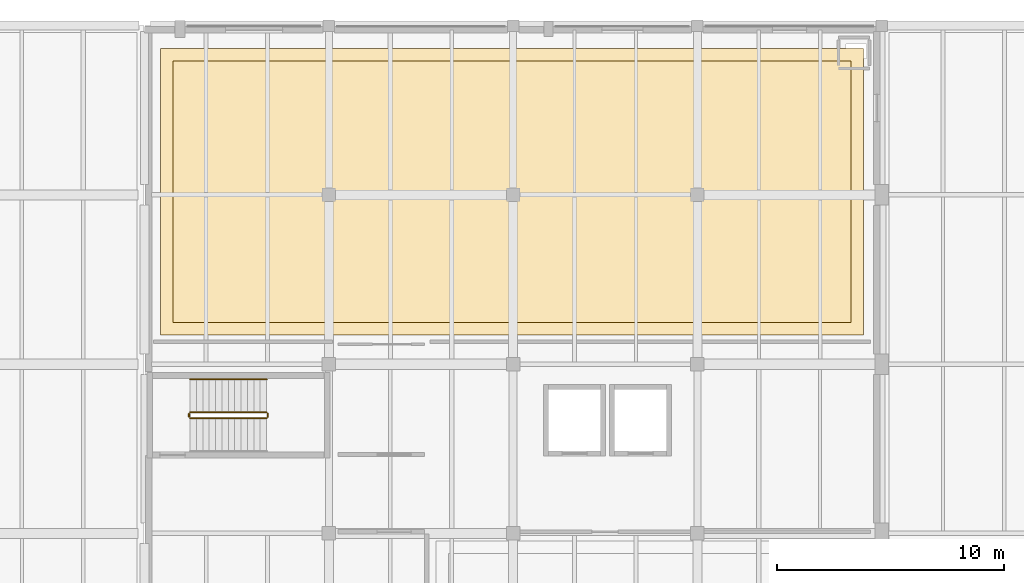
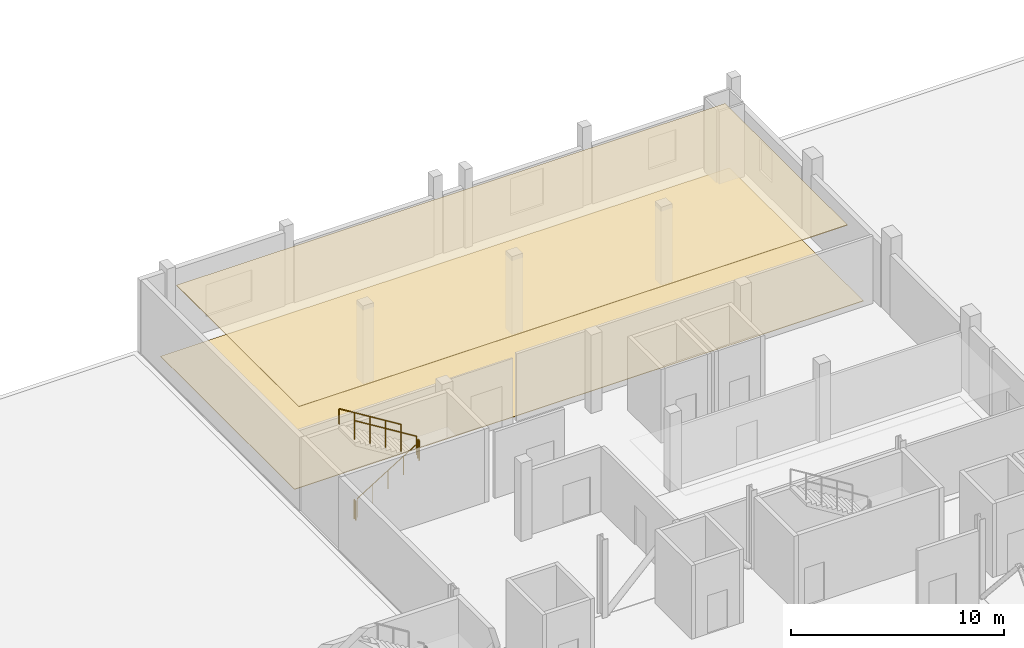
# One storey, part 70 of 73: 5 railings, 2 coverings.
"""IFC4 building model written with IfcOpenShell, lengths in metres."""

from ifc_helpers import new_model, si_unit, direction, frame, origin, origin_2d, place, context, subcontext, project, spatial, polyline, circle, outline, extrude, material, layer, layer_set, type_object, element, save


model = new_model("IFC4")

# Units and contexts
model_context = context("Model", 3, precision=1e-05, world=origin(), true_north=direction((0.0, 1.0)))
body_context = subcontext(model_context, "Body", "Model", "MODEL_VIEW")
ifc_project = project(units=[si_unit("LENGTHUNIT", "METRE"), si_unit("AREAUNIT", "SQUARE_METRE"), si_unit("VOLUMEUNIT", "CUBIC_METRE"), si_unit("PLANEANGLEUNIT", "RADIAN"), si_unit("MASSUNIT", "GRAM", prefix="KILO")], contexts=[model_context])

# Site, building, storey
site_placement = place(None, origin())
site = spatial("IfcSite", under=ifc_project, at=site_placement, CompositionType="ELEMENT")
building_placement = place(site_placement, origin())
building = spatial("IfcBuilding", under=site, at=building_placement, Name="Kaelora Sail Theatre", CompositionType="ELEMENT")
storey_placement = place(building_placement, frame((0.0, 0.0, 10.199951171875)))
storey = spatial("IfcBuildingStorey", under=building, at=storey_placement, Name="L02", CompositionType="ELEMENT", Elevation=10.199951171875)

# Coverings
ifc_material_1 = material(Name="Suspended acoustic mineral-fibre ceiling", Category="gypsum")
ifc_layer_1 = layer(ifc_material_1, 0.034912109375)
ifc_layer_set_1 = layer_set([ifc_layer_1], Name="Suspended acoustic mineral-fibre ceiling")
covering_type_1 = type_object("IfcCoveringType", Name="ARC-COV-CLG-GYP-35", PredefinedType="CEILING", material=ifc_layer_set_1)
covering_1_placement = place(storey_placement, frame((0.0, 0.0, 4.215087890625)))
element("IfcCovering", 1, at=covering_1_placement, inside=storey, type_object=covering_type_1, Name="Acoustic ceiling L02-REH-MAIN", PredefinedType="CEILING", context=body_context, shape_type="SweptSolid", body=[
    extrude(outline(polyline([(35.14990234375, 100.050048828125), (64.949951171875, 100.050048828125), (64.949951171875, 111.550048828125), (35.14990234375, 111.550048828125), (35.14990234375, 100.050048828125)])), origin(), (0.0, 0.0, 1.0), 0.034912109375),
])
ifc_material_2 = material(Name="Sprung West African iroko stage and dance floor", Category="timber")
ifc_layer_2 = layer(ifc_material_2, 0.028076171875)
ifc_layer_set_2 = layer_set([ifc_layer_2], Name="Sprung West African iroko stage and dance floor")
covering_type_2 = type_object("IfcCoveringType", Name="ARC-COV-FLR-OAK-28", PredefinedType="FLOORING", material=ifc_layer_set_2)
covering_2_placement = place(storey_placement, origin())
element("IfcCovering", 2, at=covering_2_placement, inside=storey, type_object=covering_type_2, Name="Architectural flooring L02-REH-MAIN", PredefinedType="FLOORING", context=body_context, shape_type="SweptSolid", body=[
    extrude(outline(polyline([(34.60009765625, 99.5), (65.5, 99.5), (65.5, 112.10009765625), (34.60009765625, 112.10009765625), (34.60009765625, 99.5)])), origin(), (0.0, 0.0, 1.0), 0.028076171875),
])

# Railings
ifc_material_3 = material(Name="Painted steel and laminated safety glass guard", Category="steel")
railing_type_1 = type_object("IfcRailingType", Name="ARC-RL-GRD", PredefinedType="GUARDRAIL", material=ifc_material_3)
railing_1_placement = place(storey_placement, frame((35.89990234375, 95.85009765625, 0.173095703125)))
element("IfcRailing", 3, at=railing_1_placement, inside=storey, type_object=railing_type_1, Name="L02 ST-K2 stair guard 1", PredefinedType="GUARDRAIL", context=body_context, shape_type="SweptSolid", body=[
    extrude(circle(Radius=0.02392578125, at=origin_2d()), frame((0.0, 0.0, 1.076171875), z_axis=(0.850623216509, 0.0, 0.525775754039), x_axis=(0.0, 1.0, 0.0)), (0.0, 0.0, 1.0), 3.9501953125),
    extrude(circle(Radius=0.02099609375, at=origin_2d()), origin(), (0.0, 0.0, 1.0), 1.052001953125),
    extrude(circle(Radius=0.02099609375, at=origin_2d()), frame((0.840087890625, 0.0, 0.519287109375)), (0.0, 0.0, 1.0), 1.052001953125),
    extrude(circle(Radius=0.02099609375, at=origin_2d()), frame((1.68017578125, 0.0, 1.03857421875)), (0.0, 0.0, 1.0), 1.052001953125),
    extrude(circle(Radius=0.02099609375, at=origin_2d()), frame((2.52001953125, 0.0, 1.5576171875)), (0.0, 0.0, 1.0), 1.052001953125),
    extrude(circle(Radius=0.02099609375, at=origin_2d()), frame((3.360107421875, 0.0, 2.076904296875)), (0.0, 0.0, 1.0), 1.052001953125),
])
railing_2_placement = place(storey_placement, frame((39.31005859375, 95.89990234375, 2.25)))
element("IfcRailing", 4, at=railing_2_placement, inside=storey, type_object=railing_type_1, Name="L02 ST-K2 stair guard 2", PredefinedType="GUARDRAIL", context=body_context, shape_type="SweptSolid", body=[
    extrude(circle(Radius=0.02392578125, at=origin_2d()), frame((0.0, 0.0, 1.076171875), z_axis=(0.0, 1.0, 0.0), x_axis=(-1.0, 0.0, 0.0)), (0.0, 0.0, 1.0), 0.150146484375),
    extrude(circle(Radius=0.02099609375, at=origin_2d()), origin(), (0.0, 0.0, 1.0), 1.052001953125),
    extrude(circle(Radius=0.02099609375, at=origin_2d()), frame((0.0, 0.150146484375, 0.0)), (0.0, 0.0, 1.0), 1.052001953125),
])
railing_3_placement = place(storey_placement, frame((39.260009765625, 96.10009765625, 2.423095703125)))
element("IfcRailing", 5, at=railing_3_placement, inside=storey, type_object=railing_type_1, Name="L02 ST-K2 stair guard 3", PredefinedType="GUARDRAIL", context=body_context, shape_type="SweptSolid", body=[
    extrude(circle(Radius=0.02392578125, at=origin_2d()), frame((0.0, 0.0, 1.076171875), z_axis=(-0.850623216509, 0.0, 0.525775754039), x_axis=(0.0, -1.0, 0.0)), (0.0, 0.0, 1.0), 3.9501953125),
    extrude(circle(Radius=0.02099609375, at=origin_2d()), origin(), (0.0, 0.0, 1.0), 1.052001953125),
    extrude(circle(Radius=0.02099609375, at=origin_2d()), frame((-0.840087890625, 0.0, 0.519287109375)), (0.0, 0.0, 1.0), 1.052001953125),
    extrude(circle(Radius=0.02099609375, at=origin_2d()), frame((-1.68017578125, 0.0, 1.03857421875)), (0.0, 0.0, 1.0), 1.052001953125),
    extrude(circle(Radius=0.02099609375, at=origin_2d()), frame((-2.52001953125, 0.0, 1.5576171875)), (0.0, 0.0, 1.0), 1.052001953125),
    extrude(circle(Radius=0.02099609375, at=origin_2d()), frame((-3.360107421875, 0.0, 2.076904296875)), (0.0, 0.0, 1.0), 1.052001953125),
])
railing_4_placement = place(storey_placement, frame((35.85009765625, 95.89990234375, 0.0)))
element("IfcRailing", 6, at=railing_4_placement, inside=storey, type_object=railing_type_1, Name="L02 ST-K2 stair guard 4", PredefinedType="GUARDRAIL", context=body_context, shape_type="SweptSolid", body=[
    extrude(circle(Radius=0.02392578125, at=origin_2d()), frame((0.0, 0.0, 1.076171875), z_axis=(0.0, 1.0, 0.0), x_axis=(-1.0, 0.0, 0.0)), (0.0, 0.0, 1.0), 0.150146484375),
    extrude(circle(Radius=0.02099609375, at=origin_2d()), origin(), (0.0, 0.0, 1.0), 1.052001953125),
    extrude(circle(Radius=0.02099609375, at=origin_2d()), frame((0.0, 0.150146484375, 0.0)), (0.0, 0.0, 1.0), 1.052001953125),
])
ifc_material_4 = material(Name="Brushed stainless steel 316L tubular handrail", Category="steel")
railing_type_2 = type_object("IfcRailingType", Name="ARC-RL-HND", PredefinedType="HANDRAIL", material=ifc_material_4)
railing_5_placement = place(storey_placement, frame((39.260009765625, 97.550048828125, 2.423095703125)))
element("IfcRailing", 7, at=railing_5_placement, inside=storey, type_object=railing_type_2, Name="L02 ST-K2 stair handrail 2", PredefinedType="HANDRAIL", context=body_context, shape_type="SweptSolid", body=[
    extrude(circle(Radius=0.02392578125, at=origin_2d()), frame((0.0, 0.0, 0.8759765625), z_axis=(-0.850623216509, 0.0, 0.525775754039), x_axis=(0.0, -1.0, 0.0)), (0.0, 0.0, 1.0), 3.9501953125),
    extrude(circle(Radius=0.02099609375, at=origin_2d()), origin(), (0.0, 0.0, 1.0), 0.851806640625),
    extrude(circle(Radius=0.02099609375, at=origin_2d()), frame((-0.840087890625, 0.0, 0.519287109375)), (0.0, 0.0, 1.0), 0.851806640625),
    extrude(circle(Radius=0.02099609375, at=origin_2d()), frame((-1.68017578125, 0.0, 1.03857421875)), (0.0, 0.0, 1.0), 0.851806640625),
    extrude(circle(Radius=0.02099609375, at=origin_2d()), frame((-2.52001953125, 0.0, 1.5576171875)), (0.0, 0.0, 1.0), 0.851806640625),
    extrude(circle(Radius=0.02099609375, at=origin_2d()), frame((-3.360107421875, 0.0, 2.076904296875)), (0.0, 0.0, 1.0), 0.851806640625),
])

save(model, "model.ifc")
